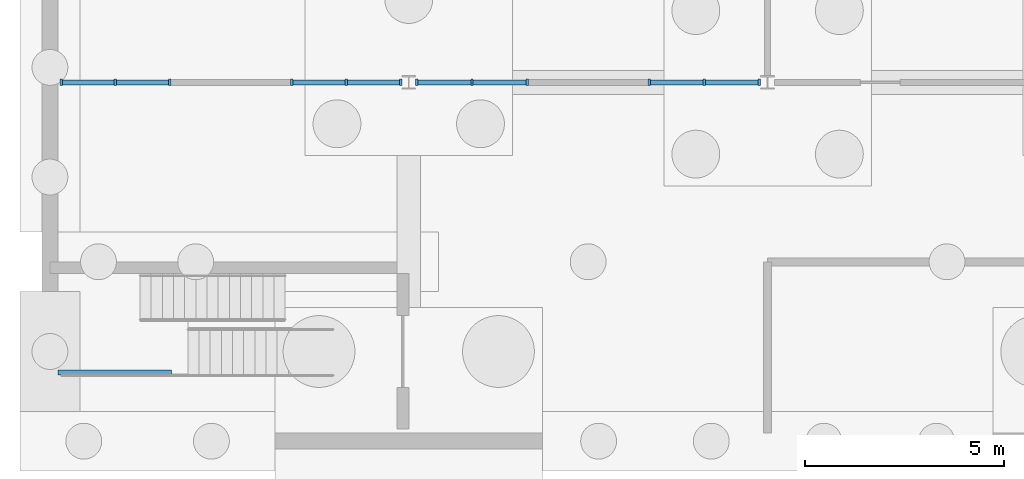
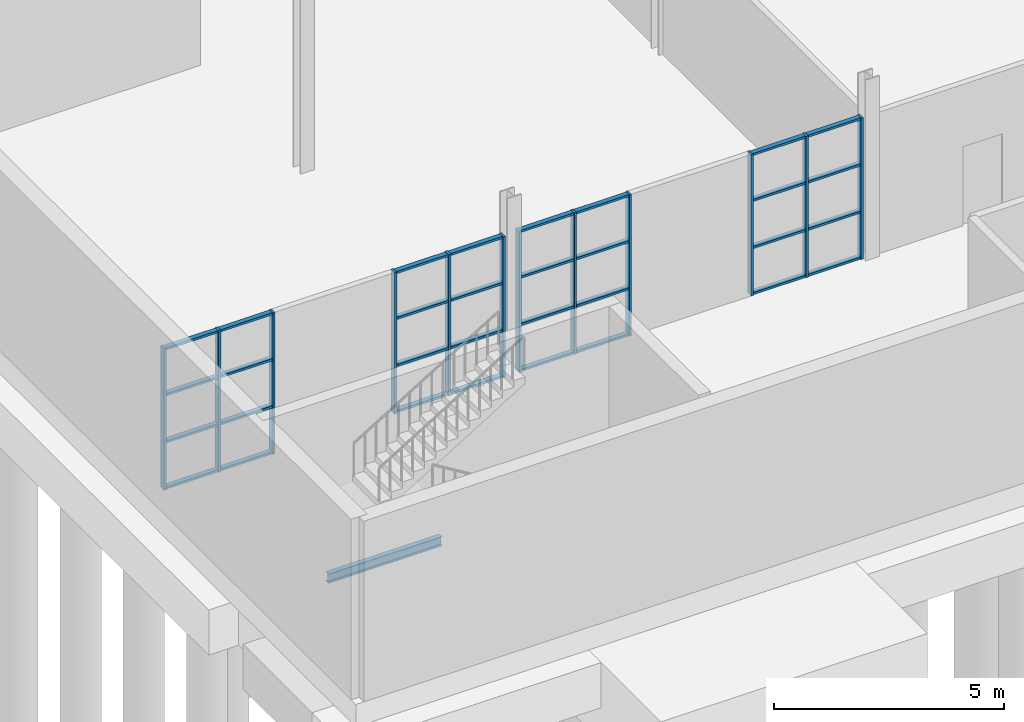
# One storey, part 7 of 17: 44 members, 1 beam, 4 elements without a shape of their own.
"""IFC4 building model written with IfcOpenShell, lengths in metres."""

import ifcopenshell
import ifcopenshell.guid

model = None  # the IFC model being written
_history = None  # IfcOwnerHistory: only IFC2X3 demands one
_inside = {}  # id of a spatial element -> (the spatial element, [elements in it])
_under = {}  # id of a project, library or spatial element -> (it, [spatial elements below it])
_declared = {}  # id of a project -> (the project, [libraries it declares])
_typed = {}  # id of a type object -> (the type object, [elements of that type])
_made_of = {}  # id of a material, layer set ... -> (it, [elements and type objects made of it])


def new_model(schema):
    """Start an empty IFC model of exactly this schema.

    Asked for "IFC4X3", IfcOpenShell would pick the latest addendum, in which some entities
    have other attributes; the version numbers below select the first issue.
    IFC2X3 requires an IfcOwnerHistory on every rooted entity: one is made here for all.
    """
    global model, _history
    if schema == "IFC4X3":
        model = ifcopenshell.file(schema_version=(4, 3, 0, 0))
    else:
        model = ifcopenshell.file(schema=schema)
    _inside.clear()
    _under.clear()
    _declared.clear()
    _typed.clear()
    _made_of.clear()
    _history = None
    if model.schema == "IFC2X3":
        org = make("IfcOrganization", Name="unknown")
        user = make(
            "IfcPersonAndOrganization",
            ThePerson=make("IfcPerson", FamilyName="unknown"),
            TheOrganization=org,
        )
        app = make(
            "IfcApplication",
            ApplicationDeveloper=org,
            Version="unknown",
            ApplicationFullName="unknown",
            ApplicationIdentifier="unknown",
        )
        _history = make(
            "IfcOwnerHistory",
            OwningUser=user,
            OwningApplication=app,
            ChangeAction="ADDED",
            CreationDate=0,
        )
    return model


def make(cls, **values):
    """One entity of the class cls with the attributes given. An attribute that is None is left unset."""
    return model.create_entity(
        cls, **{name: value for name, value in values.items() if value is not None}
    )


def rooted(cls, **values):
    """An entity with a GlobalId (a new one), such as an element, a storey or a relation."""
    return make(cls, GlobalId=ifcopenshell.guid.new(), OwnerHistory=_history, **values)


def si_unit(unit_type, name, prefix=None):
    """IfcSIUnit, for example si_unit("LENGTHUNIT", "METRE", prefix="MILLI")."""
    return make("IfcSIUnit", UnitType=unit_type, Prefix=prefix, Name=name)


def assignment(units):
    """IfcUnitAssignment: the units of a project."""
    return None if units is None else make("IfcUnitAssignment", Units=units)


def point(xyz):
    """IfcCartesianPoint."""
    return None if xyz is None else make("IfcCartesianPoint", Coordinates=xyz)


def direction(xyz):
    """IfcDirection."""
    return None if xyz is None else make("IfcDirection", DirectionRatios=xyz)


def frame(location, z_axis=None, x_axis=None):
    """IfcAxis2Placement3D, a coordinate frame: its origin and axes. An axis left out is left unset."""
    return make(
        "IfcAxis2Placement3D",
        Location=point(location),
        Axis=direction(z_axis),
        RefDirection=direction(x_axis),
    )


def frame_2d(location, x_axis=None):
    """IfcAxis2Placement2D, a coordinate frame in the plane: its origin and x axis."""
    return make(
        "IfcAxis2Placement2D", Location=point(location), RefDirection=direction(x_axis)
    )


def origin():
    """The frame at (0, 0, 0) with its axes left unset."""
    return frame((0.0, 0.0, 0.0))


def origin_2d():
    """The frame at (0, 0) in the plane with its x axis left unset."""
    return frame_2d((0.0, 0.0))


def place(relative_to, where):
    """IfcLocalPlacement: puts the frame where relative to a parent placement (None: the world)."""
    return make(
        "IfcLocalPlacement", PlacementRelTo=relative_to, RelativePlacement=where
    )


def context(
    kind, dimensions, precision=None, world=None, true_north=None, identifier=None
):
    """IfcGeometricRepresentationContext, for example the 3D "Model" context."""
    return make(
        "IfcGeometricRepresentationContext",
        ContextIdentifier=identifier,
        ContextType=kind,
        CoordinateSpaceDimension=dimensions,
        Precision=precision,
        WorldCoordinateSystem=world,
        TrueNorth=true_north,
    )


def subcontext(parent, identifier, kind, view, scale=None):
    """IfcGeometricRepresentationSubContext, for example "Body" below "Model"."""
    return make(
        "IfcGeometricRepresentationSubContext",
        ContextIdentifier=identifier,
        ContextType=kind,
        ParentContext=parent,
        TargetScale=scale,
        TargetView=view,
    )


def project(units=None, contexts=None):
    """IfcProject with its units and contexts."""
    return rooted(
        "IfcProject",
        Name="project",
        RepresentationContexts=contexts,
        UnitsInContext=assignment(units),
    )


def spatial(cls, under=None, at=None, **own):
    """A site, building, storey or space (cls), placed at a placement, below another one or the project."""
    s = rooted(cls, ObjectPlacement=at, **own)
    if under is not None:
        _under.setdefault(under.id(), (under, []))[1].append(s)
    return s


def profile(cls, at=None, kind="AREA", **sizes):
    """A parametric profile (cls). Its sizes go by their IFC names, for example OverallWidth=200.0."""
    return make(cls, ProfileType=kind, Position=at, **sizes)


def rectangle(**sizes):
    """IfcRectangleProfileDef."""
    return profile("IfcRectangleProfileDef", **sizes)


def i_section(**sizes):
    """IfcIShapeProfileDef."""
    return profile("IfcIShapeProfileDef", **sizes)


def extrude(swept, where, along, depth):
    """IfcExtrudedAreaSolid: the profile swept, set in the frame where, extruded along a direction by depth."""
    return make(
        "IfcExtrudedAreaSolid",
        SweptArea=swept,
        Position=where,
        ExtrudedDirection=direction(along),
        Depth=depth,
    )


def shape(context_of_items, identifier, shape_type, items):
    """IfcShapeRepresentation: the items that make up one representation, for example the "Body"."""
    return make(
        "IfcShapeRepresentation",
        ContextOfItems=context_of_items,
        RepresentationIdentifier=identifier,
        RepresentationType=shape_type,
        Items=items,
    )


def material(Name=None, Category=None):
    """IfcMaterial."""
    return make("IfcMaterial", Name=Name, Category=Category)


def layer(
    of_material, thickness, ventilated=None, Name=None, Category=None, Priority=None
):
    """IfcMaterialLayer: one layer of a wall or slab, of a material (None: an air gap)."""
    return make(
        "IfcMaterialLayer",
        Material=of_material,
        LayerThickness=thickness,
        IsVentilated=ventilated,
        Name=Name,
        Category=Category,
        Priority=Priority,
    )


def layer_set(layers, Name=None):
    """IfcMaterialLayerSet."""
    return make("IfcMaterialLayerSet", MaterialLayers=layers, LayerSetName=Name)


def material_profile(
    of_material, cross_section, Name=None, Category=None, Priority=None
):
    """IfcMaterialProfile: a cross section and its material."""
    return make(
        "IfcMaterialProfile",
        Name=Name,
        Material=of_material,
        Profile=cross_section,
        Priority=Priority,
        Category=Category,
    )


def profile_set(profiles, Name=None, composite=None):
    """IfcMaterialProfileSet."""
    return make(
        "IfcMaterialProfileSet",
        Name=Name,
        MaterialProfiles=profiles,
        CompositeProfile=composite,
    )


def made_of(thing, what):
    """Note that an element or type object is made of a material, layer set ...; save() writes the relation."""
    if what is not None:
        _made_of.setdefault(what.id(), (what, []))[1].append(thing)
    return thing


def type_object(cls, material=None, **own):
    """A type object (cls), such as IfcWallType, which elements share."""
    return made_of(rooted(cls, **own), material)


def element(
    cls,
    number,
    at=None,
    inside=None,
    cuts=None,
    type_object=None,
    material=None,
    context=None,
    identifier="Body",
    shape_type=None,
    held_by="IfcProductDefinitionShape",
    body=None,
    shapes=None,
    **own,
):
    """One element of the class cls, such as IfcWall. Its Tag is "e" and its number.

    at: its placement. inside: the storey or other place that contains it. cuts: it is an
    opening in that element (IfcRelVoidsElement). A single representation is given by context,
    identifier, shape_type and body (its items); several are given by shapes. held_by: the class
    of the entity that holds the representations. save() writes the other relations.
    """
    e = rooted(cls, Tag="e%d" % number, ObjectPlacement=at, **own)
    if body is not None:
        shapes = [shape(context, identifier, shape_type, body)]
    if shapes is not None:
        e.Representation = make(held_by, Representations=shapes)
    if inside is not None:
        _inside.setdefault(inside.id(), (inside, []))[1].append(e)
    if cuts is not None:
        rooted(
            "IfcRelVoidsElement", RelatingBuildingElement=cuts, RelatedOpeningElement=e
        )
    if type_object is not None:
        _typed.setdefault(type_object.id(), (type_object, []))[1].append(e)
    return made_of(e, material)


def aggregate(whole, parts):
    """IfcRelAggregates: a whole, such as a stair, and the parts it consists of."""
    return rooted("IfcRelAggregates", RelatingObject=whole, RelatedObjects=parts)


def save(model, path):
    """Write the relations noted so far, then the file.

    IfcRelAggregates (storeys below a building ...), IfcRelContainedInSpatialStructure (elements
    in a storey), IfcRelDefinesByType, IfcRelAssociatesMaterial and IfcRelDeclares: one each for
    every whole, place, type object, material and project.
    """
    for whole, parts in _under.values():
        aggregate(whole, parts)
    for where, things in _inside.values():
        rooted(
            "IfcRelContainedInSpatialStructure",
            RelatedElements=things,
            RelatingStructure=where,
        )
    for kind, things in _typed.values():
        rooted("IfcRelDefinesByType", RelatedObjects=things, RelatingType=kind)
    for what, things in _made_of.values():
        rooted("IfcRelAssociatesMaterial", RelatedObjects=things, RelatingMaterial=what)
    for by, libraries in _declared.values():
        rooted("IfcRelDeclares", RelatingContext=by, RelatedDefinitions=libraries)
    model.write(path)


model = new_model("IFC4")

# Units and contexts
model_context = context("Model", 3, precision=1e-05, world=origin(), true_north=direction((0.0, 1.0)))
body_context = subcontext(model_context, "Body", "Model", "MODEL_VIEW")
ifc_project = project(units=[si_unit("LENGTHUNIT", "METRE"), si_unit("AREAUNIT", "SQUARE_METRE"), si_unit("VOLUMEUNIT", "CUBIC_METRE"), si_unit("PLANEANGLEUNIT", "RADIAN"), si_unit("MASSUNIT", "GRAM", prefix="KILO")], contexts=[model_context])

# Site, building, storey
site_placement = place(None, origin())
site = spatial("IfcSite", under=ifc_project, at=site_placement, CompositionType="ELEMENT")
building_placement = place(site_placement, origin())
building = spatial("IfcBuilding", under=site, at=building_placement, Name="Halyard Row Museum", CompositionType="ELEMENT")
storey_placement = place(building_placement, frame((0.0, 0.0, -9.60009765625)))
storey = spatial("IfcBuildingStorey", under=building, at=storey_placement, Name="B2", CompositionType="ELEMENT", Elevation=-9.60009765625)

# Curtain wall, members
ifc_material_1 = material(Name="Fire-resisting laminated glazing", Category="glass")
ifc_layer = layer(ifc_material_1, 0.159912109375)
ifc_layer_set = layer_set([ifc_layer], Name="Fire-resisting laminated glazing")
curtain_wall_type = type_object("IfcCurtainWallType", Name="Curtain wall atrium screen 160 deep", PredefinedType="NOTDEFINED", material=ifc_layer_set)
curtain_wall_1_placement = place(storey_placement, origin())
curtain_wall_1 = element("IfcCurtainWall", 1, at=curtain_wall_1_placement, inside=storey, type_object=curtain_wall_type, Name="Curtain wall CW110", PredefinedType="NOTDEFINED")
ifc_material_2 = material(Name="Powder-coated aluminium section", Category="aluminium")
ifc_material_profile_1 = material_profile(ifc_material_2, rectangle(XDim=0.159912109375, YDim=0.06005859375, at=origin_2d()), Name="160x60 mullion")
ifc_profile_set_1 = profile_set([ifc_material_profile_1], Name="Powder-coated aluminium section")
member_type_1 = type_object("IfcMemberType", Name="Curtain wall mullion CM5 60 x 160", PredefinedType="MULLION", material=ifc_profile_set_1)
member_1_placement = place(storey_placement, frame((27.280029296875, 27.0, 0.0), z_axis=(0.0, 0.0, 1.0), x_axis=(0.0, 1.0, 0.0)))
member_1 = element("IfcMember", 2, at=member_1_placement, type_object=member_type_1, Name="CW110 mullion 1", PredefinedType="MULLION", context=body_context, shape_type="SweptSolid", body=[
    extrude(rectangle(XDim=0.159912109375, YDim=0.06005859375, at=origin_2d()), origin(), (0.0, 0.0, 1.0), 3.758056640625),
])
member_2_placement = place(storey_placement, frame((28.643798828125, 27.0, 0.0), z_axis=(0.0, 0.0, 1.0), x_axis=(0.0, 1.0, 0.0)))
member_2 = element("IfcMember", 3, at=member_2_placement, type_object=member_type_1, Name="CW110 mullion 2", PredefinedType="MULLION", context=body_context, shape_type="SweptSolid", body=[
    extrude(rectangle(XDim=0.159912109375, YDim=0.06005859375, at=origin_2d()), origin(), (0.0, 0.0, 1.0), 3.758056640625),
])
member_3_placement = place(storey_placement, frame((30.007568359375, 27.0, 0.0), z_axis=(0.0, 0.0, 1.0), x_axis=(0.0, 1.0, 0.0)))
member_3 = element("IfcMember", 4, at=member_3_placement, type_object=member_type_1, Name="CW110 mullion 3", PredefinedType="MULLION", context=body_context, shape_type="SweptSolid", body=[
    extrude(rectangle(XDim=0.159912109375, YDim=0.06005859375, at=origin_2d()), origin(), (0.0, 0.0, 1.0), 3.758056640625),
])

curtain_wall_2_placement = place(storey_placement, origin())
curtain_wall_2 = element("IfcCurtainWall", 5, at=curtain_wall_2_placement, inside=storey, type_object=curtain_wall_type, Name="Curtain wall CW111", PredefinedType="NOTDEFINED")
member_4_placement = place(storey_placement, frame((33.0673828125, 27.0, 0.0), z_axis=(0.0, 0.0, 1.0), x_axis=(0.0, 1.0, 0.0)))
member_4 = element("IfcMember", 6, at=member_4_placement, type_object=member_type_1, Name="CW111 mullion 1", PredefinedType="MULLION", context=body_context, shape_type="SweptSolid", body=[
    extrude(rectangle(XDim=0.159912109375, YDim=0.06005859375, at=origin_2d()), origin(), (0.0, 0.0, 1.0), 3.758056640625),
])
member_5_placement = place(storey_placement, frame((34.43115234375, 27.0, 0.0), z_axis=(0.0, 0.0, 1.0), x_axis=(0.0, 1.0, 0.0)))
member_5 = element("IfcMember", 7, at=member_5_placement, type_object=member_type_1, Name="CW111 mullion 2", PredefinedType="MULLION", context=body_context, shape_type="SweptSolid", body=[
    extrude(rectangle(XDim=0.159912109375, YDim=0.06005859375, at=origin_2d()), origin(), (0.0, 0.0, 1.0), 3.758056640625),
])
member_6_placement = place(storey_placement, frame((35.794921875, 27.0, 0.0), z_axis=(0.0, 0.0, 1.0), x_axis=(0.0, 1.0, 0.0)))
member_6 = element("IfcMember", 8, at=member_6_placement, type_object=member_type_1, Name="CW111 mullion 3", PredefinedType="MULLION", context=body_context, shape_type="SweptSolid", body=[
    extrude(rectangle(XDim=0.159912109375, YDim=0.06005859375, at=origin_2d()), origin(), (0.0, 0.0, 1.0), 3.758056640625),
])

curtain_wall_3_placement = place(storey_placement, origin())
curtain_wall_3 = element("IfcCurtainWall", 9, at=curtain_wall_3_placement, inside=storey, type_object=curtain_wall_type, Name="Curtain wall CW112", PredefinedType="NOTDEFINED")
member_7_placement = place(storey_placement, frame((36.205078125, 27.0, 0.0), z_axis=(0.0, 0.0, 1.0), x_axis=(0.0, 1.0, 0.0)))
member_7 = element("IfcMember", 10, at=member_7_placement, type_object=member_type_1, Name="CW112 mullion 1", PredefinedType="MULLION", context=body_context, shape_type="SweptSolid", body=[
    extrude(rectangle(XDim=0.159912109375, YDim=0.06005859375, at=origin_2d()), origin(), (0.0, 0.0, 1.0), 3.758056640625),
])
member_8_placement = place(storey_placement, frame((37.58740234375, 27.0, 0.0), z_axis=(0.0, 0.0, 1.0), x_axis=(0.0, 1.0, 0.0)))
member_8 = element("IfcMember", 11, at=member_8_placement, type_object=member_type_1, Name="CW112 mullion 2", PredefinedType="MULLION", context=body_context, shape_type="SweptSolid", body=[
    extrude(rectangle(XDim=0.159912109375, YDim=0.06005859375, at=origin_2d()), origin(), (0.0, 0.0, 1.0), 3.758056640625),
])
member_9_placement = place(storey_placement, frame((38.969970703125, 27.0, 0.0), z_axis=(0.0, 0.0, 1.0), x_axis=(0.0, 1.0, 0.0)))
member_9 = element("IfcMember", 12, at=member_9_placement, type_object=member_type_1, Name="CW112 mullion 3", PredefinedType="MULLION", context=body_context, shape_type="SweptSolid", body=[
    extrude(rectangle(XDim=0.159912109375, YDim=0.06005859375, at=origin_2d()), origin(), (0.0, 0.0, 1.0), 3.758056640625),
])

curtain_wall_4_placement = place(storey_placement, origin())
curtain_wall_4 = element("IfcCurtainWall", 13, at=curtain_wall_4_placement, inside=storey, type_object=curtain_wall_type, Name="Curtain wall CW113", PredefinedType="NOTDEFINED")
member_10_placement = place(storey_placement, frame((42.030029296875, 27.0, 0.0), z_axis=(0.0, 0.0, 1.0), x_axis=(0.0, 1.0, 0.0)))
member_10 = element("IfcMember", 14, at=member_10_placement, type_object=member_type_1, Name="CW113 mullion 1", PredefinedType="MULLION", context=body_context, shape_type="SweptSolid", body=[
    extrude(rectangle(XDim=0.159912109375, YDim=0.06005859375, at=origin_2d()), origin(), (0.0, 0.0, 1.0), 3.758056640625),
])
member_11_placement = place(storey_placement, frame((43.41259765625, 27.0, 0.0), z_axis=(0.0, 0.0, 1.0), x_axis=(0.0, 1.0, 0.0)))
member_11 = element("IfcMember", 15, at=member_11_placement, type_object=member_type_1, Name="CW113 mullion 2", PredefinedType="MULLION", context=body_context, shape_type="SweptSolid", body=[
    extrude(rectangle(XDim=0.159912109375, YDim=0.06005859375, at=origin_2d()), origin(), (0.0, 0.0, 1.0), 3.758056640625),
])
member_12_placement = place(storey_placement, frame((44.794921875, 27.0, 0.0), z_axis=(0.0, 0.0, 1.0), x_axis=(0.0, 1.0, 0.0)))
member_12 = element("IfcMember", 16, at=member_12_placement, type_object=member_type_1, Name="CW113 mullion 3", PredefinedType="MULLION", context=body_context, shape_type="SweptSolid", body=[
    extrude(rectangle(XDim=0.159912109375, YDim=0.06005859375, at=origin_2d()), origin(), (0.0, 0.0, 1.0), 3.758056640625),
])

# Member
ifc_material_3 = material(Name="Powder-coated aluminium section", Category="aluminium")
ifc_material_profile_2 = material_profile(ifc_material_3, rectangle(XDim=0.1201171875, YDim=0.06005859375, at=origin_2d()), Name="120x60 transom")
ifc_profile_set_2 = profile_set([ifc_material_profile_2], Name="Powder-coated aluminium section")
member_type_2 = type_object("IfcMemberType", Name="Curtain wall transom CT5 60 x 120", PredefinedType="USERDEFINED", material=ifc_profile_set_2)
member_13_placement = place(storey_placement, frame((27.31005859375, 27.0, 0.030029296875), z_axis=(1.0, 0.0, 0.0), x_axis=(0.0, 1.0, 0.0)))
member_13 = element("IfcMember", 17, at=member_13_placement, type_object=member_type_2, Name="CW110 transom 1.1", ObjectType="TRANSOM", PredefinedType="USERDEFINED", context=body_context, shape_type="SweptSolid", body=[
    extrude(rectangle(XDim=0.1201171875, YDim=0.06005859375, at=origin_2d()), origin(), (0.0, 0.0, 1.0), 1.3037109375),
])

member_14_placement = place(storey_placement, frame((27.31005859375, 27.0, 1.252685546875), z_axis=(1.0, 0.0, 0.0), x_axis=(0.0, 1.0, 0.0)))
member_14 = element("IfcMember", 18, at=member_14_placement, type_object=member_type_2, Name="CW110 transom 1.2", ObjectType="TRANSOM", PredefinedType="USERDEFINED", context=body_context, shape_type="SweptSolid", body=[
    extrude(rectangle(XDim=0.1201171875, YDim=0.06005859375, at=origin_2d()), origin(), (0.0, 0.0, 1.0), 1.3037109375),
])

member_15_placement = place(storey_placement, frame((27.31005859375, 27.0, 2.50537109375), z_axis=(1.0, 0.0, 0.0), x_axis=(0.0, 1.0, 0.0)))
member_15 = element("IfcMember", 19, at=member_15_placement, type_object=member_type_2, Name="CW110 transom 1.3", ObjectType="TRANSOM", PredefinedType="USERDEFINED", context=body_context, shape_type="SweptSolid", body=[
    extrude(rectangle(XDim=0.1201171875, YDim=0.06005859375, at=origin_2d()), origin(), (0.0, 0.0, 1.0), 1.3037109375),
])

member_16_placement = place(storey_placement, frame((27.31005859375, 27.0, 3.72802734375), z_axis=(1.0, 0.0, 0.0), x_axis=(0.0, 1.0, 0.0)))
member_16 = element("IfcMember", 20, at=member_16_placement, type_object=member_type_2, Name="CW110 transom 1.4", ObjectType="TRANSOM", PredefinedType="USERDEFINED", context=body_context, shape_type="SweptSolid", body=[
    extrude(rectangle(XDim=0.1201171875, YDim=0.06005859375, at=origin_2d()), origin(), (0.0, 0.0, 1.0), 1.3037109375),
])

member_17_placement = place(storey_placement, frame((28.673828125, 27.0, 0.030029296875), z_axis=(1.0, 0.0, 0.0), x_axis=(0.0, 1.0, 0.0)))
member_17 = element("IfcMember", 21, at=member_17_placement, type_object=member_type_2, Name="CW110 transom 2.1", ObjectType="TRANSOM", PredefinedType="USERDEFINED", context=body_context, shape_type="SweptSolid", body=[
    extrude(rectangle(XDim=0.1201171875, YDim=0.06005859375, at=origin_2d()), origin(), (0.0, 0.0, 1.0), 1.3037109375),
])

member_18_placement = place(storey_placement, frame((28.673828125, 27.0, 1.252685546875), z_axis=(1.0, 0.0, 0.0), x_axis=(0.0, 1.0, 0.0)))
member_18 = element("IfcMember", 22, at=member_18_placement, type_object=member_type_2, Name="CW110 transom 2.2", ObjectType="TRANSOM", PredefinedType="USERDEFINED", context=body_context, shape_type="SweptSolid", body=[
    extrude(rectangle(XDim=0.1201171875, YDim=0.06005859375, at=origin_2d()), origin(), (0.0, 0.0, 1.0), 1.3037109375),
])

member_19_placement = place(storey_placement, frame((28.673828125, 27.0, 2.50537109375), z_axis=(1.0, 0.0, 0.0), x_axis=(0.0, 1.0, 0.0)))
member_19 = element("IfcMember", 23, at=member_19_placement, type_object=member_type_2, Name="CW110 transom 2.3", ObjectType="TRANSOM", PredefinedType="USERDEFINED", context=body_context, shape_type="SweptSolid", body=[
    extrude(rectangle(XDim=0.1201171875, YDim=0.06005859375, at=origin_2d()), origin(), (0.0, 0.0, 1.0), 1.3037109375),
])

member_20_placement = place(storey_placement, frame((28.673828125, 27.0, 3.72802734375), z_axis=(1.0, 0.0, 0.0), x_axis=(0.0, 1.0, 0.0)))
member_20 = element("IfcMember", 24, at=member_20_placement, type_object=member_type_2, Name="CW110 transom 2.4", ObjectType="TRANSOM", PredefinedType="USERDEFINED", context=body_context, shape_type="SweptSolid", body=[
    extrude(rectangle(XDim=0.1201171875, YDim=0.06005859375, at=origin_2d()), origin(), (0.0, 0.0, 1.0), 1.3037109375),
])

aggregate(curtain_wall_1, [member_1, member_2, member_3, member_13, member_14, member_15, member_16, member_17, member_18, member_19, member_20])

member_21_placement = place(storey_placement, frame((33.097412109375, 27.0, 0.030029296875), z_axis=(1.0, 0.0, 0.0), x_axis=(0.0, 1.0, 0.0)))
member_21 = element("IfcMember", 25, at=member_21_placement, type_object=member_type_2, Name="CW111 transom 1.1", ObjectType="TRANSOM", PredefinedType="USERDEFINED", context=body_context, shape_type="SweptSolid", body=[
    extrude(rectangle(XDim=0.1201171875, YDim=0.06005859375, at=origin_2d()), origin(), (0.0, 0.0, 1.0), 1.303955078125),
])

member_22_placement = place(storey_placement, frame((33.097412109375, 27.0, 1.252685546875), z_axis=(1.0, 0.0, 0.0), x_axis=(0.0, 1.0, 0.0)))
member_22 = element("IfcMember", 26, at=member_22_placement, type_object=member_type_2, Name="CW111 transom 1.2", ObjectType="TRANSOM", PredefinedType="USERDEFINED", context=body_context, shape_type="SweptSolid", body=[
    extrude(rectangle(XDim=0.1201171875, YDim=0.06005859375, at=origin_2d()), origin(), (0.0, 0.0, 1.0), 1.303955078125),
])

member_23_placement = place(storey_placement, frame((33.097412109375, 27.0, 2.50537109375), z_axis=(1.0, 0.0, 0.0), x_axis=(0.0, 1.0, 0.0)))
member_23 = element("IfcMember", 27, at=member_23_placement, type_object=member_type_2, Name="CW111 transom 1.3", ObjectType="TRANSOM", PredefinedType="USERDEFINED", context=body_context, shape_type="SweptSolid", body=[
    extrude(rectangle(XDim=0.1201171875, YDim=0.06005859375, at=origin_2d()), origin(), (0.0, 0.0, 1.0), 1.303955078125),
])

member_24_placement = place(storey_placement, frame((33.097412109375, 27.0, 3.72802734375), z_axis=(1.0, 0.0, 0.0), x_axis=(0.0, 1.0, 0.0)))
member_24 = element("IfcMember", 28, at=member_24_placement, type_object=member_type_2, Name="CW111 transom 1.4", ObjectType="TRANSOM", PredefinedType="USERDEFINED", context=body_context, shape_type="SweptSolid", body=[
    extrude(rectangle(XDim=0.1201171875, YDim=0.06005859375, at=origin_2d()), origin(), (0.0, 0.0, 1.0), 1.303955078125),
])

member_25_placement = place(storey_placement, frame((34.461181640625, 27.0, 0.030029296875), z_axis=(1.0, 0.0, 0.0), x_axis=(0.0, 1.0, 0.0)))
member_25 = element("IfcMember", 29, at=member_25_placement, type_object=member_type_2, Name="CW111 transom 2.1", ObjectType="TRANSOM", PredefinedType="USERDEFINED", context=body_context, shape_type="SweptSolid", body=[
    extrude(rectangle(XDim=0.1201171875, YDim=0.06005859375, at=origin_2d()), origin(), (0.0, 0.0, 1.0), 1.3037109375),
])

member_26_placement = place(storey_placement, frame((34.461181640625, 27.0, 1.252685546875), z_axis=(1.0, 0.0, 0.0), x_axis=(0.0, 1.0, 0.0)))
member_26 = element("IfcMember", 30, at=member_26_placement, type_object=member_type_2, Name="CW111 transom 2.2", ObjectType="TRANSOM", PredefinedType="USERDEFINED", context=body_context, shape_type="SweptSolid", body=[
    extrude(rectangle(XDim=0.1201171875, YDim=0.06005859375, at=origin_2d()), origin(), (0.0, 0.0, 1.0), 1.3037109375),
])

member_27_placement = place(storey_placement, frame((34.461181640625, 27.0, 2.50537109375), z_axis=(1.0, 0.0, 0.0), x_axis=(0.0, 1.0, 0.0)))
member_27 = element("IfcMember", 31, at=member_27_placement, type_object=member_type_2, Name="CW111 transom 2.3", ObjectType="TRANSOM", PredefinedType="USERDEFINED", context=body_context, shape_type="SweptSolid", body=[
    extrude(rectangle(XDim=0.1201171875, YDim=0.06005859375, at=origin_2d()), origin(), (0.0, 0.0, 1.0), 1.3037109375),
])

member_28_placement = place(storey_placement, frame((34.461181640625, 27.0, 3.72802734375), z_axis=(1.0, 0.0, 0.0), x_axis=(0.0, 1.0, 0.0)))
member_28 = element("IfcMember", 32, at=member_28_placement, type_object=member_type_2, Name="CW111 transom 2.4", ObjectType="TRANSOM", PredefinedType="USERDEFINED", context=body_context, shape_type="SweptSolid", body=[
    extrude(rectangle(XDim=0.1201171875, YDim=0.06005859375, at=origin_2d()), origin(), (0.0, 0.0, 1.0), 1.3037109375),
])

aggregate(curtain_wall_2, [member_4, member_5, member_6, member_21, member_22, member_23, member_24, member_25, member_26, member_27, member_28])

member_29_placement = place(storey_placement, frame((36.235107421875, 27.0, 0.030029296875), z_axis=(1.0, 0.0, 0.0), x_axis=(0.0, 1.0, 0.0)))
member_29 = element("IfcMember", 33, at=member_29_placement, type_object=member_type_2, Name="CW112 transom 1.1", ObjectType="TRANSOM", PredefinedType="USERDEFINED", context=body_context, shape_type="SweptSolid", body=[
    extrude(rectangle(XDim=0.1201171875, YDim=0.06005859375, at=origin_2d()), origin(), (0.0, 0.0, 1.0), 1.322509765625),
])

member_30_placement = place(storey_placement, frame((36.235107421875, 27.0, 1.252685546875), z_axis=(1.0, 0.0, 0.0), x_axis=(0.0, 1.0, 0.0)))
member_30 = element("IfcMember", 34, at=member_30_placement, type_object=member_type_2, Name="CW112 transom 1.2", ObjectType="TRANSOM", PredefinedType="USERDEFINED", context=body_context, shape_type="SweptSolid", body=[
    extrude(rectangle(XDim=0.1201171875, YDim=0.06005859375, at=origin_2d()), origin(), (0.0, 0.0, 1.0), 1.322509765625),
])

member_31_placement = place(storey_placement, frame((36.235107421875, 27.0, 2.50537109375), z_axis=(1.0, 0.0, 0.0), x_axis=(0.0, 1.0, 0.0)))
member_31 = element("IfcMember", 35, at=member_31_placement, type_object=member_type_2, Name="CW112 transom 1.3", ObjectType="TRANSOM", PredefinedType="USERDEFINED", context=body_context, shape_type="SweptSolid", body=[
    extrude(rectangle(XDim=0.1201171875, YDim=0.06005859375, at=origin_2d()), origin(), (0.0, 0.0, 1.0), 1.322509765625),
])

member_32_placement = place(storey_placement, frame((36.235107421875, 27.0, 3.72802734375), z_axis=(1.0, 0.0, 0.0), x_axis=(0.0, 1.0, 0.0)))
member_32 = element("IfcMember", 36, at=member_32_placement, type_object=member_type_2, Name="CW112 transom 1.4", ObjectType="TRANSOM", PredefinedType="USERDEFINED", context=body_context, shape_type="SweptSolid", body=[
    extrude(rectangle(XDim=0.1201171875, YDim=0.06005859375, at=origin_2d()), origin(), (0.0, 0.0, 1.0), 1.322509765625),
])

member_33_placement = place(storey_placement, frame((37.617431640625, 27.0, 0.030029296875), z_axis=(1.0, 0.0, 0.0), x_axis=(0.0, 1.0, 0.0)))
member_33 = element("IfcMember", 37, at=member_33_placement, type_object=member_type_2, Name="CW112 transom 2.1", ObjectType="TRANSOM", PredefinedType="USERDEFINED", context=body_context, shape_type="SweptSolid", body=[
    extrude(rectangle(XDim=0.1201171875, YDim=0.06005859375, at=origin_2d()), origin(), (0.0, 0.0, 1.0), 1.322509765625),
])

member_34_placement = place(storey_placement, frame((37.617431640625, 27.0, 1.252685546875), z_axis=(1.0, 0.0, 0.0), x_axis=(0.0, 1.0, 0.0)))
member_34 = element("IfcMember", 38, at=member_34_placement, type_object=member_type_2, Name="CW112 transom 2.2", ObjectType="TRANSOM", PredefinedType="USERDEFINED", context=body_context, shape_type="SweptSolid", body=[
    extrude(rectangle(XDim=0.1201171875, YDim=0.06005859375, at=origin_2d()), origin(), (0.0, 0.0, 1.0), 1.322509765625),
])

member_35_placement = place(storey_placement, frame((37.617431640625, 27.0, 2.50537109375), z_axis=(1.0, 0.0, 0.0), x_axis=(0.0, 1.0, 0.0)))
member_35 = element("IfcMember", 39, at=member_35_placement, type_object=member_type_2, Name="CW112 transom 2.3", ObjectType="TRANSOM", PredefinedType="USERDEFINED", context=body_context, shape_type="SweptSolid", body=[
    extrude(rectangle(XDim=0.1201171875, YDim=0.06005859375, at=origin_2d()), origin(), (0.0, 0.0, 1.0), 1.322509765625),
])

member_36_placement = place(storey_placement, frame((37.617431640625, 27.0, 3.72802734375), z_axis=(1.0, 0.0, 0.0), x_axis=(0.0, 1.0, 0.0)))
member_36 = element("IfcMember", 40, at=member_36_placement, type_object=member_type_2, Name="CW112 transom 2.4", ObjectType="TRANSOM", PredefinedType="USERDEFINED", context=body_context, shape_type="SweptSolid", body=[
    extrude(rectangle(XDim=0.1201171875, YDim=0.06005859375, at=origin_2d()), origin(), (0.0, 0.0, 1.0), 1.322509765625),
])

aggregate(curtain_wall_3, [member_7, member_8, member_9, member_29, member_30, member_31, member_32, member_33, member_34, member_35, member_36])

member_37_placement = place(storey_placement, frame((42.06005859375, 27.0, 0.030029296875), z_axis=(1.0, 0.0, 0.0), x_axis=(0.0, 1.0, 0.0)))
member_37 = element("IfcMember", 41, at=member_37_placement, type_object=member_type_2, Name="CW113 transom 1.1", ObjectType="TRANSOM", PredefinedType="USERDEFINED", context=body_context, shape_type="SweptSolid", body=[
    extrude(rectangle(XDim=0.1201171875, YDim=0.06005859375, at=origin_2d()), origin(), (0.0, 0.0, 1.0), 1.322509765625),
])

member_38_placement = place(storey_placement, frame((42.06005859375, 27.0, 1.252685546875), z_axis=(1.0, 0.0, 0.0), x_axis=(0.0, 1.0, 0.0)))
member_38 = element("IfcMember", 42, at=member_38_placement, type_object=member_type_2, Name="CW113 transom 1.2", ObjectType="TRANSOM", PredefinedType="USERDEFINED", context=body_context, shape_type="SweptSolid", body=[
    extrude(rectangle(XDim=0.1201171875, YDim=0.06005859375, at=origin_2d()), origin(), (0.0, 0.0, 1.0), 1.322509765625),
])

member_39_placement = place(storey_placement, frame((42.06005859375, 27.0, 2.50537109375), z_axis=(1.0, 0.0, 0.0), x_axis=(0.0, 1.0, 0.0)))
member_39 = element("IfcMember", 43, at=member_39_placement, type_object=member_type_2, Name="CW113 transom 1.3", ObjectType="TRANSOM", PredefinedType="USERDEFINED", context=body_context, shape_type="SweptSolid", body=[
    extrude(rectangle(XDim=0.1201171875, YDim=0.06005859375, at=origin_2d()), origin(), (0.0, 0.0, 1.0), 1.322509765625),
])

member_40_placement = place(storey_placement, frame((42.06005859375, 27.0, 3.72802734375), z_axis=(1.0, 0.0, 0.0), x_axis=(0.0, 1.0, 0.0)))
member_40 = element("IfcMember", 44, at=member_40_placement, type_object=member_type_2, Name="CW113 transom 1.4", ObjectType="TRANSOM", PredefinedType="USERDEFINED", context=body_context, shape_type="SweptSolid", body=[
    extrude(rectangle(XDim=0.1201171875, YDim=0.06005859375, at=origin_2d()), origin(), (0.0, 0.0, 1.0), 1.322509765625),
])

member_41_placement = place(storey_placement, frame((43.4423828125, 27.0, 0.030029296875), z_axis=(1.0, 0.0, 0.0), x_axis=(0.0, 1.0, 0.0)))
member_41 = element("IfcMember", 45, at=member_41_placement, type_object=member_type_2, Name="CW113 transom 2.1", ObjectType="TRANSOM", PredefinedType="USERDEFINED", context=body_context, shape_type="SweptSolid", body=[
    extrude(rectangle(XDim=0.1201171875, YDim=0.06005859375, at=origin_2d()), origin(), (0.0, 0.0, 1.0), 1.322509765625),
])

member_42_placement = place(storey_placement, frame((43.4423828125, 27.0, 1.252685546875), z_axis=(1.0, 0.0, 0.0), x_axis=(0.0, 1.0, 0.0)))
member_42 = element("IfcMember", 46, at=member_42_placement, type_object=member_type_2, Name="CW113 transom 2.2", ObjectType="TRANSOM", PredefinedType="USERDEFINED", context=body_context, shape_type="SweptSolid", body=[
    extrude(rectangle(XDim=0.1201171875, YDim=0.06005859375, at=origin_2d()), origin(), (0.0, 0.0, 1.0), 1.322509765625),
])

member_43_placement = place(storey_placement, frame((43.4423828125, 27.0, 2.50537109375), z_axis=(1.0, 0.0, 0.0), x_axis=(0.0, 1.0, 0.0)))
member_43 = element("IfcMember", 47, at=member_43_placement, type_object=member_type_2, Name="CW113 transom 2.3", ObjectType="TRANSOM", PredefinedType="USERDEFINED", context=body_context, shape_type="SweptSolid", body=[
    extrude(rectangle(XDim=0.1201171875, YDim=0.06005859375, at=origin_2d()), origin(), (0.0, 0.0, 1.0), 1.322509765625),
])

member_44_placement = place(storey_placement, frame((43.4423828125, 27.0, 3.72802734375), z_axis=(1.0, 0.0, 0.0), x_axis=(0.0, 1.0, 0.0)))
member_44 = element("IfcMember", 48, at=member_44_placement, type_object=member_type_2, Name="CW113 transom 2.4", ObjectType="TRANSOM", PredefinedType="USERDEFINED", context=body_context, shape_type="SweptSolid", body=[
    extrude(rectangle(XDim=0.1201171875, YDim=0.06005859375, at=origin_2d()), origin(), (0.0, 0.0, 1.0), 1.322509765625),
])

aggregate(curtain_wall_4, [member_10, member_11, member_12, member_37, member_38, member_39, member_40, member_41, member_42, member_43, member_44])

# Beam
ifc_material_4 = material(Name="Steel Grade 300", Category="steel")
ifc_material_profile_3 = material_profile(ifc_material_4, i_section(OverallWidth=0.1240234375, OverallDepth=0.248046875, WebThickness=0.0048828125, FlangeThickness=0.008056640625, FilletRadius=0.011962890625, at=origin_2d()), Name="250UB25.7")
ifc_profile_set_3 = profile_set([ifc_material_profile_3], Name="Steel Grade 300")
beam_type = type_object("IfcBeamType", Name="Landing trimmer 250UB25.7", PredefinedType="BEAM", material=ifc_profile_set_3)
beam_placement = place(storey_placement, frame((27.197021484375, 19.721923828125, 2.076171875), z_axis=(1.0, 0.0, 0.0), x_axis=(0.0, 1.0, 0.0)))
element("IfcBeam", 49, at=beam_placement, inside=storey, type_object=beam_type, Name="Landing ledger K1D B2 1", PredefinedType="BEAM", context=body_context, shape_type="SweptSolid", body=[
    extrude(i_section(OverallWidth=0.1240234375, OverallDepth=0.248046875, WebThickness=0.0048828125, FlangeThickness=0.008056640625, FilletRadius=0.011962890625, at=origin_2d()), origin(), (0.0, 0.0, 1.0), 2.85302734375),
])

save(model, "model.ifc")
